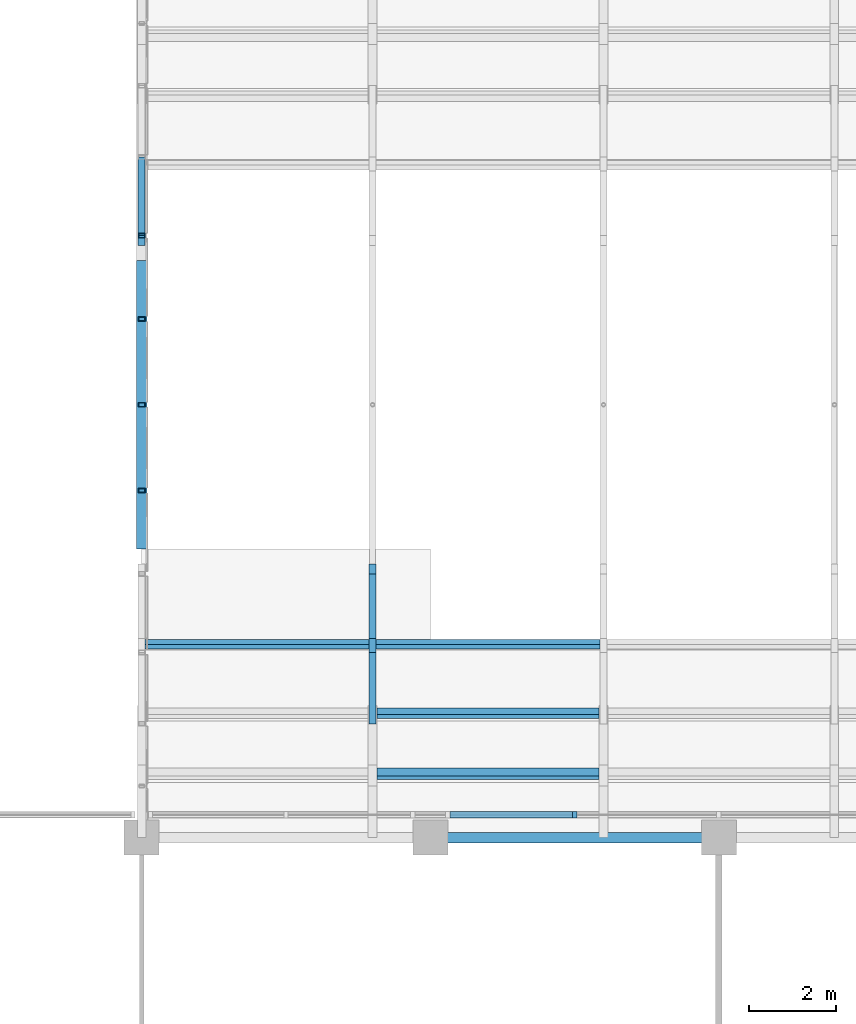
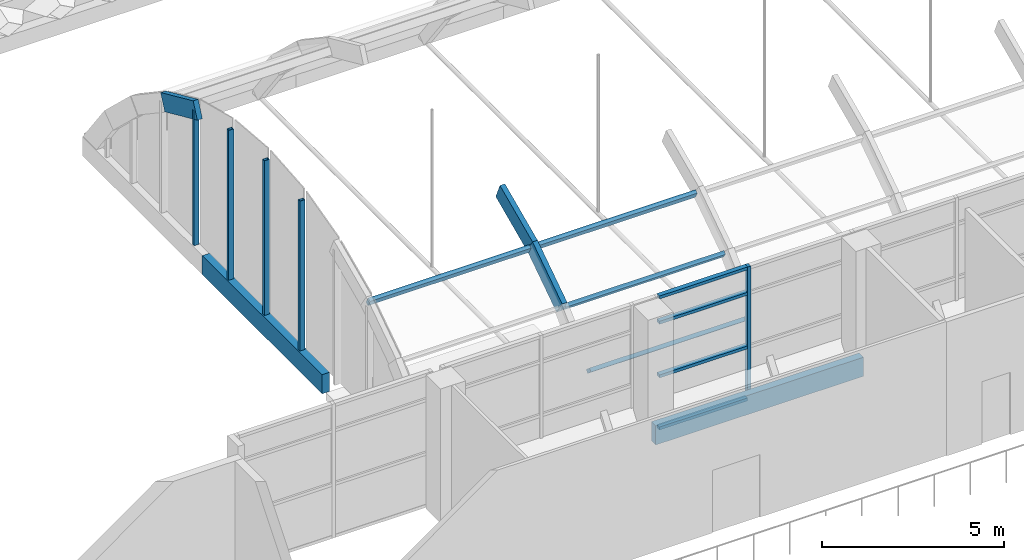
# One storey, part 17 of 102: 16 members, 2 beams, 1 element without a shape of its own.
"""IFC4 building model written with IfcOpenShell, lengths in metres."""

from ifc_helpers import new_model, si_unit, direction, frame, origin, origin_2d, place, context, subcontext, project, spatial, rectangle, hollow_rectangle, extrude, material, material_profile, profile_set, type_object, element, aggregate, save


model = new_model("IFC4")

# Units and contexts
model_context = context("Model", 3, precision=1e-05, world=origin(), true_north=direction((0.0, 1.0)))
body_context = subcontext(model_context, "Body", "Model", "MODEL_VIEW")
ifc_project = project(units=[si_unit("LENGTHUNIT", "METRE"), si_unit("AREAUNIT", "SQUARE_METRE"), si_unit("VOLUMEUNIT", "CUBIC_METRE"), si_unit("PLANEANGLEUNIT", "RADIAN"), si_unit("MASSUNIT", "GRAM", prefix="KILO")], contexts=[model_context])

# Site, building, storey
site_placement = place(None, origin())
site = spatial("IfcSite", under=ifc_project, at=site_placement, CompositionType="ELEMENT")
building_placement = place(site_placement, origin())
building = spatial("IfcBuilding", under=site, at=building_placement, Name="Lantern Court Research Institute", CompositionType="ELEMENT")
storey_placement = place(building_placement, frame((0.0, 0.0, 9.89990234375)))
storey = spatial("IfcBuildingStorey", under=building, at=storey_placement, Name="L02", CompositionType="ELEMENT", Elevation=9.89990234375)

# Members
ifc_material_1 = material(Name="Structural steel S355", Category="steel")
ifc_material_profile_1 = material_profile(ifc_material_1, hollow_rectangle(XDim=0.159912109375, YDim=0.10009765625, WallThickness=0.00634765625, at=origin_2d()), Name="Gable post RHS 160 x 100 x 6.3")
ifc_profile_set_1 = profile_set([ifc_material_profile_1], Name="Structural steel S355")
member_type_1 = type_object("IfcMemberType", Name="Gable post RHS 160 x 100 x 6.3", PredefinedType="POST", material=ifc_profile_set_1)
member_1_placement = place(storey_placement, frame((52.800048828125, 64.038330078125, 0.64013671875), z_axis=(0.0, 0.0, 1.0), x_axis=(1.0, 0.0, 0.0)))
element("IfcMember", 1, at=member_1_placement, inside=storey, type_object=member_type_1, Name="Gable post", PredefinedType="POST", context=body_context, shape_type="SweptSolid", body=[
    extrude(hollow_rectangle(XDim=0.159912109375, YDim=0.10009765625, WallThickness=0.00634765625, at=origin_2d()), origin(), (0.0, 0.0, 1.0), 5.03369140625),
])
member_2_placement = place(storey_placement, frame((52.800048828125, 66.0, 0.64013671875), z_axis=(0.0, 0.0, 1.0), x_axis=(1.0, 0.0, 0.0)))
element("IfcMember", 2, at=member_2_placement, inside=storey, type_object=member_type_1, Name="Gable post", PredefinedType="POST", context=body_context, shape_type="SweptSolid", body=[
    extrude(hollow_rectangle(XDim=0.159912109375, YDim=0.10009765625, WallThickness=0.00634765625, at=origin_2d()), origin(), (0.0, 0.0, 1.0), 5.199951171875),
])
member_3_placement = place(storey_placement, frame((52.800048828125, 67.961669921875, 0.64013671875), z_axis=(0.0, 0.0, 1.0), x_axis=(1.0, 0.0, 0.0)))
element("IfcMember", 3, at=member_3_placement, inside=storey, type_object=member_type_1, Name="Gable post", PredefinedType="POST", context=body_context, shape_type="SweptSolid", body=[
    extrude(hollow_rectangle(XDim=0.159912109375, YDim=0.10009765625, WallThickness=0.00634765625, at=origin_2d()), origin(), (0.0, 0.0, 1.0), 5.03369140625),
])
member_4_placement = place(storey_placement, frame((52.800048828125, 69.8671875, 0.64013671875), z_axis=(0.0, 0.0, 1.0), x_axis=(1.0, 0.0, 0.0)))
element("IfcMember", 4, at=member_4_placement, inside=storey, type_object=member_type_1, Name="Gable post", PredefinedType="POST", context=body_context, shape_type="SweptSolid", body=[
    extrude(hollow_rectangle(XDim=0.159912109375, YDim=0.10009765625, WallThickness=0.00634765625, at=origin_2d()), origin(), (0.0, 0.0, 1.0), 4.5400390625),
])
ifc_material_2 = material(Name="Glued laminated timber GL28h", Category="wood")
ifc_material_profile_2 = material_profile(ifc_material_2, rectangle(XDim=0.159912109375, YDim=0.56005859375, at=origin_2d()), Name="Glulam haunch rib 160 x 560")
ifc_profile_set_2 = profile_set([ifc_material_profile_2], Name="Glued laminated timber GL28h")
member_type_2 = type_object("IfcMemberType", Name="Glulam haunch rib 160 x 560", PredefinedType="RAFTER", material=ifc_profile_set_2)
for number, where, z_axis, x_axis, name in (
    (5, (52.800048828125, 69.75244140625, 5.224853515625), (0.0, 0.91202821745, -0.410127456501), (-1.0, 0.0, 0.0), "Glulam rib"),
    (6, (58.080078125, 58.859619140625, 3.342529296875), (0.0, 0.830041526637, 0.557701590511), (-1.0, 0.0, 0.0), "Glulam rib"),
    (7, (58.080078125, 60.4521484375, 4.41748046875), (0.0, 0.91202821745, 0.410127456501), (-1.0, 0.0, 0.0), "Glulam rib"),
):
    element("IfcMember", number, at=place(storey_placement, frame(where, z_axis=z_axis, x_axis=x_axis)), inside=storey, type_object=member_type_2, Name=name, PredefinedType="RAFTER", context=body_context, shape_type="SweptSolid", body=[
        extrude(rectangle(XDim=0.159912109375, YDim=0.56005859375, at=origin_2d()), origin(), (0.0, 0.0, 1.0), 1.968505859375),
    ])
ifc_material_3 = material(Name="Glued laminated timber GL28h", Category="wood")
ifc_material_profile_3 = material_profile(ifc_material_3, rectangle(XDim=0.1201171875, YDim=0.239990234375, at=origin_2d()), Name="Glulam purlin 120 x 240")
ifc_profile_set_3 = profile_set([ifc_material_profile_3], Name="Glued laminated timber GL28h")
member_type_3 = type_object("IfcMemberType", Name="Glulam purlin 120 x 240", PredefinedType="PURLIN", material=ifc_profile_set_3)
for number, where, z_axis, x_axis, name in (
    (8, (58.179931640625, 57.561767578125, 1.965576171875), (1.0, 0.0, 0.0), (0.0, 0.663608478299, 0.748080067593), "Glulam purlin"),
    (9, (58.179931640625, 58.941162109375, 3.278564453125), (1.0, 0.0, 0.0), (0.0, 0.779999482278, 0.625780159199), "Glulam purlin"),
):
    element("IfcMember", number, at=place(storey_placement, frame(where, z_axis=z_axis, x_axis=x_axis)), inside=storey, type_object=member_type_3, Name=name, PredefinedType="PURLIN", context=body_context, shape_type="SweptSolid", body=[
        extrude(rectangle(XDim=0.1201171875, YDim=0.239990234375, at=origin_2d()), origin(), (0.0, 0.0, 1.0), 5.080078125),
    ])
for number, where, z_axis, x_axis, name in (
    (10, (52.8798828125, 60.52197265625, 4.340576171875), (1.0, 0.0, 0.0), (0.0, 0.874157276961, 0.485642929667), "Glulam purlin"),
    (11, (58.159912109375, 60.52197265625, 4.340576171875), (1.0, 0.0, 0.0), (0.0, 0.874157276961, 0.485642929667), "Glulam purlin"),
):
    element("IfcMember", number, at=place(storey_placement, frame(where, z_axis=z_axis, x_axis=x_axis)), inside=storey, type_object=member_type_3, Name=name, PredefinedType="PURLIN", context=body_context, shape_type="SweptSolid", body=[
        extrude(rectangle(XDim=0.1201171875, YDim=0.239990234375, at=origin_2d()), origin(), (0.0, 0.0, 1.0), 5.1201171875),
    ])

# Beams
ifc_material_4 = material(Name="Glued laminated timber GL28h", Category="wood")
ifc_material_profile_4 = material_profile(ifc_material_4, rectangle(XDim=0.239990234375, YDim=0.639892578125, at=origin_2d()), Name="Glulam ring beam 240 x 640")
ifc_profile_set_4 = profile_set([ifc_material_profile_4], Name="Glued laminated timber GL28h")
beam_type = type_object("IfcBeamType", Name="Glulam ring beam 240 x 640", PredefinedType="BEAM", material=ifc_profile_set_4)
for number, where, z_axis, x_axis, name in (
    (12, (59.39990234375, 56.10009765625, 0.320068359375), (1.0, 0.0, 0.0), (0.0, 1.0, 0.0), "Glulam ring beam S"),
    (13, (52.800048828125, 62.699951171875, 0.320068359375), (0.0, 1.0, 0.0), (-1.0, 0.0, 0.0), "Glulam ring beam W"),
):
    element("IfcBeam", number, at=place(storey_placement, frame(where, z_axis=z_axis, x_axis=x_axis)), inside=storey, type_object=beam_type, Name=name, PredefinedType="BEAM", context=body_context, shape_type="SweptSolid", body=[
        extrude(rectangle(XDim=0.239990234375, YDim=0.639892578125, at=origin_2d()), origin(), (0.0, 0.0, 1.0), 6.60009765625),
    ])

# Curtain wall, members
ifc_material_5 = material(Name="Aluminium alloy 6063-T6", Category="aluminium")
curtain_wall_type = type_object("IfcCurtainWallType", Name="Curtain wall 19450 x 4500 x 150 aluminium frame", PredefinedType="NOTDEFINED", material=ifc_material_5)
curtain_wall_placement = place(storey_placement, origin())
curtain_wall = element("IfcCurtainWall", 14, at=curtain_wall_placement, inside=storey, type_object=curtain_wall_type, Name="Curtain wall CW036", PredefinedType="NOTDEFINED")
ifc_material_6 = material(Name="Aluminium alloy 6063-T6", Category="aluminium")
ifc_material_profile_5 = material_profile(ifc_material_6, rectangle(XDim=0.14990234375, YDim=0.10009765625, at=origin_2d()), Name="Mullion 150 x 100")
ifc_profile_set_5 = profile_set([ifc_material_profile_5], Name="Aluminium alloy 6063-T6")
member_type_4 = type_object("IfcMemberType", Name="Mullion 150 x 100 aluminium", PredefinedType="MULLION", material=ifc_profile_set_5)
member_5_placement = place(storey_placement, frame((62.699951171875, 56.625, 0.0), z_axis=(0.0, 0.0, 1.0), x_axis=(0.0, 1.0, 0.0)))
member_5 = element("IfcMember", 15, at=member_5_placement, type_object=member_type_4, Name="CW036 mullion 5", PredefinedType="MULLION", context=body_context, shape_type="SweptSolid", body=[
    extrude(rectangle(XDim=0.14990234375, YDim=0.10009765625, at=origin_2d()), origin(), (0.0, 0.0, 1.0), 4.5),
])
ifc_material_7 = material(Name="Aluminium alloy 6063-T6", Category="aluminium")
ifc_material_profile_6 = material_profile(ifc_material_7, rectangle(XDim=0.14990234375, YDim=0.10009765625, at=origin_2d()), Name="Transom 150 x 100")
ifc_profile_set_6 = profile_set([ifc_material_profile_6], Name="Aluminium alloy 6063-T6")
member_type_5 = type_object("IfcMemberType", Name="Transom 150 x 100 aluminium", PredefinedType="USERDEFINED", material=ifc_profile_set_6)
member_6_placement = place(storey_placement, frame((59.85009765625, 56.625, 0.050048828125), z_axis=(1.0, 0.0, 0.0), x_axis=(0.0, 1.0, 0.0)))
member_6 = element("IfcMember", 16, at=member_6_placement, type_object=member_type_5, Name="CW036 transom 4.1", ObjectType="TRANSOM", PredefinedType="USERDEFINED", context=body_context, shape_type="SweptSolid", body=[
    extrude(rectangle(XDim=0.14990234375, YDim=0.10009765625, at=origin_2d()), origin(), (0.0, 0.0, 1.0), 2.7998046875),
])
member_7_placement = place(storey_placement, frame((59.85009765625, 56.625, 1.800048828125), z_axis=(1.0, 0.0, 0.0), x_axis=(0.0, 1.0, 0.0)))
member_7 = element("IfcMember", 17, at=member_7_placement, type_object=member_type_5, Name="CW036 transom 4.2", ObjectType="TRANSOM", PredefinedType="USERDEFINED", context=body_context, shape_type="SweptSolid", body=[
    extrude(rectangle(XDim=0.14990234375, YDim=0.10009765625, at=origin_2d()), origin(), (0.0, 0.0, 1.0), 2.7998046875),
])
member_8_placement = place(storey_placement, frame((59.85009765625, 56.625, 3.60009765625), z_axis=(1.0, 0.0, 0.0), x_axis=(0.0, 1.0, 0.0)))
member_8 = element("IfcMember", 18, at=member_8_placement, type_object=member_type_5, Name="CW036 transom 4.3", ObjectType="TRANSOM", PredefinedType="USERDEFINED", context=body_context, shape_type="SweptSolid", body=[
    extrude(rectangle(XDim=0.14990234375, YDim=0.10009765625, at=origin_2d()), origin(), (0.0, 0.0, 1.0), 2.7998046875),
])
member_9_placement = place(storey_placement, frame((59.85009765625, 56.625, 4.4501953125), z_axis=(1.0, 0.0, 0.0), x_axis=(0.0, 1.0, 0.0)))
member_9 = element("IfcMember", 19, at=member_9_placement, type_object=member_type_5, Name="CW036 transom 4.4", ObjectType="TRANSOM", PredefinedType="USERDEFINED", context=body_context, shape_type="SweptSolid", body=[
    extrude(rectangle(XDim=0.14990234375, YDim=0.10009765625, at=origin_2d()), origin(), (0.0, 0.0, 1.0), 2.7998046875),
])
aggregate(curtain_wall, [member_5, member_6, member_7, member_8, member_9])

save(model, "model.ifc")
